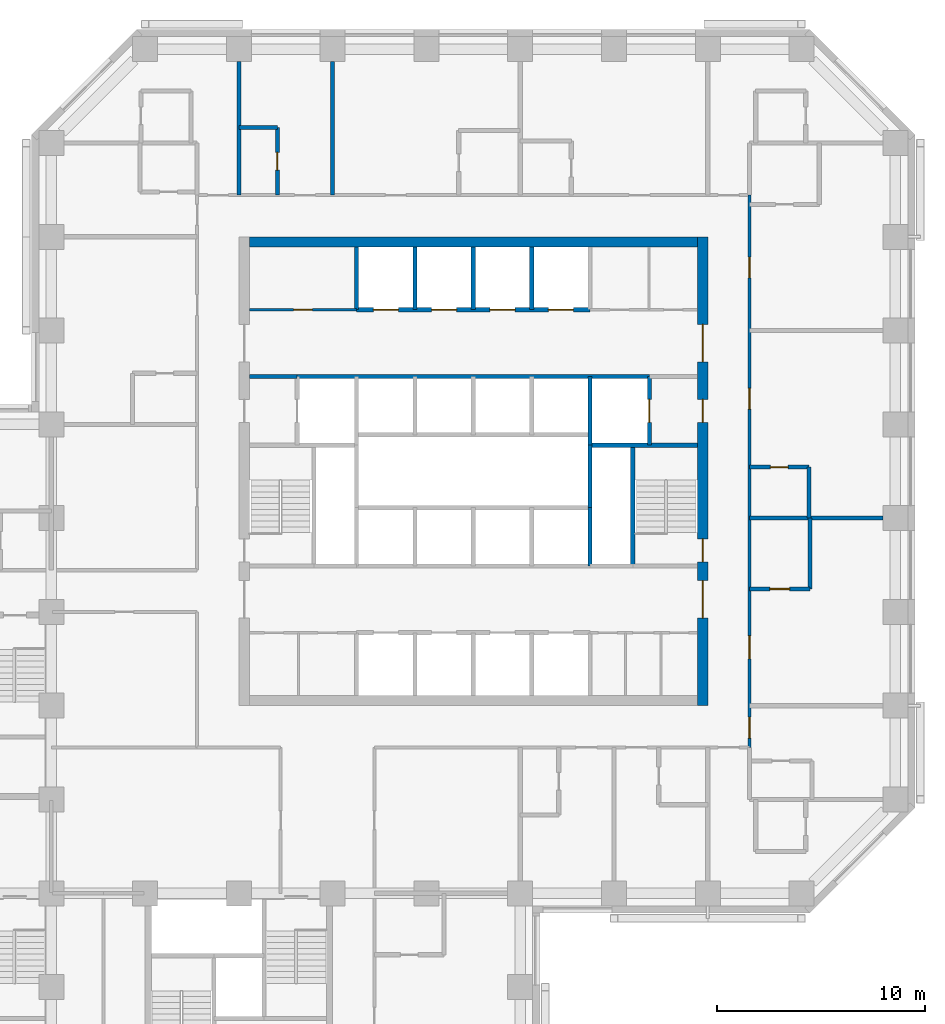
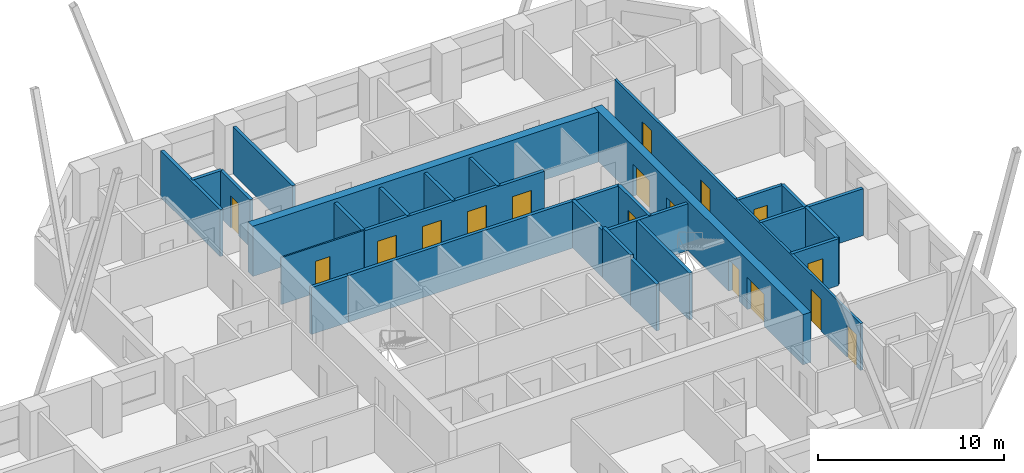
# One storey, part 9 of 13: 26 walls, 17 doors, 17 openings.
"""IFC4 building model written with IfcOpenShell, lengths in metres."""

from ifc_helpers import new_model, si_unit, direction, frame, frame_2d, origin, place, context, subcontext, project, spatial, rectangle, extrude, material, layer, layer_set, type_object, element, fill, save


model = new_model("IFC4")

# Units and contexts
model_context = context("Model", 3, precision=1e-05, world=origin(), true_north=direction((0.0, 1.0)))
body_context = subcontext(model_context, "Body", "Model", "MODEL_VIEW")
ifc_project = project(units=[si_unit("LENGTHUNIT", "METRE"), si_unit("AREAUNIT", "SQUARE_METRE"), si_unit("VOLUMEUNIT", "CUBIC_METRE"), si_unit("PLANEANGLEUNIT", "RADIAN"), si_unit("MASSUNIT", "GRAM", prefix="KILO")], contexts=[model_context])

# Site, building, storey
site_placement = place(None, origin())
site = spatial("IfcSite", under=ifc_project, at=site_placement, CompositionType="ELEMENT")
building_placement = place(site_placement, origin())
building = spatial("IfcBuilding", under=site, at=building_placement, Name="Quoin Convention Tower", CompositionType="ELEMENT")
storey_placement = place(building_placement, frame((0.0, 0.0, 26.39990234375)))
storey = spatial("IfcBuildingStorey", under=building, at=storey_placement, Name="L05", CompositionType="ELEMENT", Elevation=26.39990234375)

# Wall, opening, door
ifc_material_1 = material(Name="Plasterboard")
ifc_layer_1 = layer(ifc_material_1, 0.012451171875, Name="Finish")
ifc_material_2 = material(Name="Steel stud framing", Category="steel")
ifc_layer_2 = layer(ifc_material_2, 0.074951171875, Name="Structure")
ifc_layer_3 = layer(ifc_material_1, 0.012451171875, Name="Finish")
ifc_layer_set_1 = layer_set([ifc_layer_1, ifc_layer_2, ifc_layer_3], Name="Steel stud framing")
wall_type_1 = type_object("IfcWallType", Name="Core partition wall", PredefinedType="PARTITIONING", material=ifc_layer_set_1)
wall_1_placement = place(storey_placement, frame((45.5, 68.5, 0.0), z_axis=(0.0, 0.0, 1.0), x_axis=(1.0, 0.0, 0.0)))
wall_1 = element("IfcWall", 1, at=wall_1_placement, inside=storey, type_object=wall_type_1, Name="cr-C1-L05-h19000_500", PredefinedType="PARTITIONING", context=body_context, shape_type="SweptSolid", body=[
    extrude(rectangle(XDim=5.14990234375, YDim=0.10009765625, at=frame_2d((2.574951171875, 0.0))), origin(), (0.0, 0.0, 1.0), 3.080078125),
])
opening_1_placement = place(wall_1_placement, frame((2.125, 0.0, 0.0)))
opening_1 = element("IfcOpeningElement", 2, at=opening_1_placement, cuts=wall_1, Name="Opening DCV2-15", PredefinedType="OPENING", context=body_context, shape_type="SweptSolid", body=[
    extrude(rectangle(XDim=0.89990234375, YDim=2.10009765625, at=frame_2d((0.449951171875, 1.050048828125))), frame((0.0, 0.06005859375, 0.0), z_axis=(0.0, -1.0, 0.0), x_axis=(1.0, 0.0, 0.0)), (0.0, 0.0, 1.0), 0.1201171875),
])
ifc_material_3 = material(Name="Steel door leaf", Category="steel")
door_type_1 = type_object("IfcDoorType", Name="Core room door 900 x 2100", OperationType="SINGLE_SWING_LEFT", PredefinedType="DOOR", material=ifc_material_3)
door_1_placement = place(opening_1_placement, origin())
door_1 = element("IfcDoor", 3, at=door_1_placement, inside=storey, type_object=door_type_1, Name="cd-C1-L05-CNW0-lobB-CD0509", OperationType="SINGLE_SWING_RIGHT", OverallHeight=2.10009765625, OverallWidth=0.89990234375, PredefinedType="DOOR", context=body_context, shape_type="SweptSolid", body=[
    extrude(rectangle(XDim=0.89990234375, YDim=2.10009765625, at=frame_2d((0.449951171875, 1.050048828125))), frame((0.0, 0.02490234375, 0.0), z_axis=(0.0, -1.0, 0.0), x_axis=(1.0, 0.0, 0.0)), (0.0, 0.0, 1.0), 0.050048828125),
])
fill(opening_1, door_1)

# Walls
ifc_material_4 = material(Name="Concrete C50", Category="concrete")
ifc_layer_4 = layer(ifc_material_4, 0.199951171875)
ifc_layer_set_2 = layer_set([ifc_layer_4], Name="Concrete C50")
wall_type_2 = type_object("IfcWallType", Name="Core shaft wall", PredefinedType="SOLIDWALL", material=ifc_layer_set_2)
wall_2_placement = place(storey_placement, frame((61.85009765625, 62.0, 0.0), z_axis=(0.0, 0.0, 1.0), x_axis=(1.0, 0.0, 0.0)))
element("IfcWall", 4, at=wall_2_placement, inside=storey, type_object=wall_type_2, Name="cr-C1-L05-h12500_16850", PredefinedType="SOLIDWALL", context=body_context, shape_type="SweptSolid", body=[
    extrude(rectangle(XDim=5.14990234375, YDim=0.199951171875, at=frame_2d((2.574951171875, 0.0))), origin(), (0.0, 0.0, 1.0), 3.080078125),
])
wall_3_placement = place(storey_placement, frame((45.5, 65.300048828125, 0.0), z_axis=(0.0, 0.0, 1.0), x_axis=(1.0, 0.0, 0.0)))
element("IfcWall", 5, at=wall_3_placement, inside=storey, type_object=wall_type_2, Name="cr-C1-L05-h15800_500", PredefinedType="SOLIDWALL", context=body_context, shape_type="SweptSolid", body=[
    extrude(rectangle(XDim=2.300048828125, YDim=0.199951171875, at=frame_2d((1.14990234375, 0.0))), origin(), (0.0, 0.0, 1.0), 3.080078125),
])
wall_4_placement = place(storey_placement, frame((47.800048828125, 65.300048828125, 0.0), z_axis=(0.0, 0.0, 1.0), x_axis=(1.0, 0.0, 0.0)))
element("IfcWall", 6, at=wall_4_placement, inside=storey, type_object=wall_type_2, Name="cr-C1-L05-h15800_2800", PredefinedType="SOLIDWALL", context=body_context, shape_type="SweptSolid", body=[
    extrude(rectangle(XDim=16.89990234375, YDim=0.199951171875, at=frame_2d((8.449951171875, 0.0))), origin(), (0.0, 0.0, 1.0), 3.080078125),
])

# Wall, openings, doors
wall_5_placement = place(storey_placement, frame((50.64990234375, 68.5, 0.0), z_axis=(0.0, 0.0, 1.0), x_axis=(1.0, 0.0, 0.0)))
wall_5 = element("IfcWall", 7, at=wall_5_placement, inside=storey, type_object=wall_type_2, Name="cr-C1-L05-h19000_5650", PredefinedType="SOLIDWALL", context=body_context, shape_type="SweptSolid", body=[
    extrude(rectangle(XDim=11.2001953125, YDim=0.199951171875, at=frame_2d((5.60009765625, 0.0))), origin(), (0.0, 0.0, 1.0), 3.080078125),
])
opening_2_placement = place(wall_5_placement, frame((0.800048828125, 0.0, 0.0)))
opening_2 = element("IfcOpeningElement", 8, at=opening_2_placement, cuts=wall_5, Name="Opening LDL5", PredefinedType="OPENING", context=body_context, shape_type="SweptSolid", body=[
    extrude(rectangle(XDim=1.199951171875, YDim=2.10009765625, at=frame_2d((0.60009765625, 1.050048828125))), frame((0.0, 0.10986328125, 0.0), z_axis=(0.0, -1.0, 0.0), x_axis=(1.0, 0.0, 0.0)), (0.0, 0.0, 1.0), 0.219970703125),
])
opening_3_placement = place(wall_5_placement, frame((3.60009765625, 0.0, 0.0)))
opening_3 = element("IfcOpeningElement", 9, at=opening_3_placement, cuts=wall_5, Name="Opening LDL6", PredefinedType="OPENING", context=body_context, shape_type="SweptSolid", body=[
    extrude(rectangle(XDim=1.199951171875, YDim=2.10009765625, at=frame_2d((0.60009765625, 1.050048828125))), frame((0.0, 0.10986328125, 0.0), z_axis=(0.0, -1.0, 0.0), x_axis=(1.0, 0.0, 0.0)), (0.0, 0.0, 1.0), 0.219970703125),
])
opening_4_placement = place(wall_5_placement, frame((6.39990234375, 0.0, 0.0)))
opening_4 = element("IfcOpeningElement", 10, at=opening_4_placement, cuts=wall_5, Name="Opening LDL7", PredefinedType="OPENING", context=body_context, shape_type="SweptSolid", body=[
    extrude(rectangle(XDim=1.199951171875, YDim=2.10009765625, at=frame_2d((0.60009765625, 1.050048828125))), frame((0.0, 0.10986328125, 0.0), z_axis=(0.0, -1.0, 0.0), x_axis=(1.0, 0.0, 0.0)), (0.0, 0.0, 1.0), 0.219970703125),
])
opening_5_placement = place(wall_5_placement, frame((9.199951171875, 0.0, 0.0)))
opening_5 = element("IfcOpeningElement", 11, at=opening_5_placement, cuts=wall_5, Name="Opening LDL8", PredefinedType="OPENING", context=body_context, shape_type="SweptSolid", body=[
    extrude(rectangle(XDim=1.199951171875, YDim=2.10009765625, at=frame_2d((0.60009765625, 1.050048828125))), frame((0.0, 0.10986328125, 0.0), z_axis=(0.0, -1.0, 0.0), x_axis=(1.0, 0.0, 0.0)), (0.0, 0.0, 1.0), 0.219970703125),
])
door_type_2 = type_object("IfcDoorType", Name="Lift landing door 1200 x 2100", OperationType="DOUBLE_DOOR_SLIDING", PredefinedType="DOOR", material=ifc_material_3)
door_2_placement = place(opening_2_placement, origin())
door_2 = element("IfcDoor", 12, at=door_2_placement, inside=storey, type_object=door_type_2, Name="cd-C1-L05-R40-lobB-LDL5", OperationType="DOUBLE_DOOR_SLIDING", OverallHeight=2.10009765625, OverallWidth=1.199951171875, PredefinedType="DOOR", context=body_context, shape_type="SweptSolid", body=[
    extrude(rectangle(XDim=1.199951171875, YDim=2.10009765625, at=frame_2d((0.60009765625, 1.050048828125))), frame((0.0, 0.02490234375, 0.0), z_axis=(0.0, -1.0, 0.0), x_axis=(1.0, 0.0, 0.0)), (0.0, 0.0, 1.0), 0.050048828125),
])
fill(opening_2, door_2)
door_3_placement = place(opening_3_placement, origin())
door_3 = element("IfcDoor", 13, at=door_3_placement, inside=storey, type_object=door_type_2, Name="cd-C1-L05-R41-lobB-LDL6", OperationType="DOUBLE_DOOR_SLIDING", OverallHeight=2.10009765625, OverallWidth=1.199951171875, PredefinedType="DOOR", context=body_context, shape_type="SweptSolid", body=[
    extrude(rectangle(XDim=1.199951171875, YDim=2.10009765625, at=frame_2d((0.60009765625, 1.050048828125))), frame((0.0, 0.02490234375, 0.0), z_axis=(0.0, -1.0, 0.0), x_axis=(1.0, 0.0, 0.0)), (0.0, 0.0, 1.0), 0.050048828125),
])
fill(opening_3, door_3)
door_4_placement = place(opening_4_placement, origin())
door_4 = element("IfcDoor", 14, at=door_4_placement, inside=storey, type_object=door_type_2, Name="cd-C1-L05-R42-lobB-LDL7", OperationType="DOUBLE_DOOR_SLIDING", OverallHeight=2.10009765625, OverallWidth=1.199951171875, PredefinedType="DOOR", context=body_context, shape_type="SweptSolid", body=[
    extrude(rectangle(XDim=1.199951171875, YDim=2.10009765625, at=frame_2d((0.60009765625, 1.050048828125))), frame((0.0, 0.02490234375, 0.0), z_axis=(0.0, -1.0, 0.0), x_axis=(1.0, 0.0, 0.0)), (0.0, 0.0, 1.0), 0.050048828125),
])
fill(opening_4, door_4)
door_5_placement = place(opening_5_placement, origin())
door_5 = element("IfcDoor", 15, at=door_5_placement, inside=storey, type_object=door_type_2, Name="cd-C1-L05-R43-lobB-LDL8", OperationType="DOUBLE_DOOR_SLIDING", OverallHeight=2.10009765625, OverallWidth=1.199951171875, PredefinedType="DOOR", context=body_context, shape_type="SweptSolid", body=[
    extrude(rectangle(XDim=1.199951171875, YDim=2.10009765625, at=frame_2d((0.60009765625, 1.050048828125))), frame((0.0, 0.02490234375, 0.0), z_axis=(0.0, -1.0, 0.0), x_axis=(1.0, 0.0, 0.0)), (0.0, 0.0, 1.0), 0.050048828125),
])
fill(opening_5, door_5)

# Walls
for number, where, z_axis, x_axis, name in (
    (16, (50.64990234375, 68.5, 0.0), (0.0, 0.0, 1.0), (0.0, 1.0, 0.0), "cr-C1-L05-v5650_19000"),
    (17, (53.449951171875, 68.5, 0.0), (0.0, 0.0, 1.0), (0.0, 1.0, 0.0), "cr-C1-L05-v8450_19000"),
    (18, (56.25, 68.5, 0.0), (0.0, 0.0, 1.0), (0.0, 1.0, 0.0), "cr-C1-L05-v11250_19000"),
    (19, (59.050048828125, 68.5, 0.0), (0.0, 0.0, 1.0), (0.0, 1.0, 0.0), "cr-C1-L05-v14050_19000"),
):
    element("IfcWall", number, at=place(storey_placement, frame(where, z_axis=z_axis, x_axis=x_axis)), inside=storey, type_object=wall_type_2, Name=name, PredefinedType="SOLIDWALL", context=body_context, shape_type="SweptSolid", body=[
        extrude(rectangle(XDim=3.0, YDim=0.199951171875, at=frame_2d((1.5, 0.0))), origin(), (0.0, 0.0, 1.0), 3.080078125),
    ])
wall_6_placement = place(storey_placement, frame((61.85009765625, 56.199951171875, 0.0), z_axis=(0.0, 0.0, 1.0), x_axis=(0.0, 1.0, 0.0)))
element("IfcWall", 20, at=wall_6_placement, inside=storey, type_object=wall_type_2, Name="cr-C1-L05-v16850_6700", PredefinedType="SOLIDWALL", context=body_context, shape_type="SweptSolid", body=[
    extrude(rectangle(XDim=2.800048828125, YDim=0.199951171875, at=frame_2d((1.39990234375, 0.0))), origin(), (0.0, 0.0, 1.0), 3.080078125),
])
wall_7_placement = place(storey_placement, frame((61.85009765625, 62.0, 0.0), z_axis=(0.0, 0.0, 1.0), x_axis=(0.0, 1.0, 0.0)))
element("IfcWall", 21, at=wall_7_placement, inside=storey, type_object=wall_type_2, Name="cr-C1-L05-v16850_12500", PredefinedType="SOLIDWALL", context=body_context, shape_type="SweptSolid", body=[
    extrude(rectangle(XDim=3.300048828125, YDim=0.199951171875, at=frame_2d((1.64990234375, 0.0))), origin(), (0.0, 0.0, 1.0), 3.080078125),
])
wall_8_placement = place(storey_placement, frame((63.89990234375, 56.199951171875, 0.0), z_axis=(0.0, 0.0, 1.0), x_axis=(0.0, 1.0, 0.0)))
element("IfcWall", 22, at=wall_8_placement, inside=storey, type_object=wall_type_2, Name="cr-C1-L05-v18900_6700", PredefinedType="SOLIDWALL", context=body_context, shape_type="SweptSolid", body=[
    extrude(rectangle(XDim=5.800048828125, YDim=0.199951171875, at=frame_2d((2.89990234375, 0.0))), origin(), (0.0, 0.0, 1.0), 3.080078125),
])

# Wall, opening, door
wall_9_placement = place(storey_placement, frame((64.699951171875, 62.0, 0.0), z_axis=(0.0, 0.0, 1.0), x_axis=(0.0, 1.0, 0.0)))
wall_9 = element("IfcWall", 23, at=wall_9_placement, inside=storey, type_object=wall_type_2, Name="cr-C1-L05-v19700_12500", PredefinedType="SOLIDWALL", context=body_context, shape_type="SweptSolid", body=[
    extrude(rectangle(XDim=3.300048828125, YDim=0.199951171875, at=frame_2d((1.64990234375, 0.0))), origin(), (0.0, 0.0, 1.0), 3.080078125),
])
opening_6_placement = place(wall_9_placement, frame((1.10009765625, 0.0, 0.0)))
opening_6 = element("IfcOpeningElement", 24, at=opening_6_placement, cuts=wall_9, Name="Opening LDFL2", PredefinedType="OPENING", context=body_context, shape_type="SweptSolid", body=[
    extrude(rectangle(XDim=1.10009765625, YDim=2.10009765625, at=frame_2d((0.550048828125, 1.050048828125))), frame((0.0, 0.10986328125, 0.0), z_axis=(0.0, -1.0, 0.0), x_axis=(1.0, 0.0, 0.0)), (0.0, 0.0, 1.0), 0.219970703125),
])
door_type_3 = type_object("IfcDoorType", Name="Lift landing door 1100 x 2100", OperationType="DOUBLE_DOOR_SLIDING", PredefinedType="DOOR", material=ifc_material_3)
door_6_placement = place(opening_6_placement, origin())
door_6 = element("IfcDoor", 25, at=door_6_placement, inside=storey, type_object=door_type_3, Name="cd-C1-L05-FLE-FFE-LDFL2", OperationType="DOUBLE_DOOR_SLIDING", OverallHeight=2.10009765625, OverallWidth=1.10009765625, PredefinedType="DOOR", context=body_context, shape_type="SweptSolid", body=[
    extrude(rectangle(XDim=1.10009765625, YDim=2.10009765625, at=frame_2d((0.550048828125, 1.050048828125))), frame((0.0, 0.02490234375, 0.0), z_axis=(0.0, -1.0, 0.0), x_axis=(1.0, 0.0, 0.0)), (0.0, 0.0, 1.0), 0.050048828125),
])
fill(opening_6, door_6)

# Walls
ifc_layer_5 = layer(ifc_material_4, 0.199951171875)
ifc_layer_set_3 = layer_set([ifc_layer_5], Name="Concrete C50")
wall_type_3 = type_object("IfcWallType", Name="Core shaft wall to the floor level over", PredefinedType="SOLIDWALL", material=ifc_layer_set_3)
wall_10_placement = place(storey_placement, frame((61.85009765625, 59.0, 0.0), z_axis=(0.0, 0.0, 1.0), x_axis=(0.0, 1.0, 0.0)))
element("IfcWall", 26, at=wall_10_placement, inside=storey, type_object=wall_type_3, Name="cr-C1-L05-v16850_9500", PredefinedType="SOLIDWALL", context=body_context, shape_type="SweptSolid", body=[
    extrude(rectangle(XDim=3.0, YDim=0.199951171875, at=frame_2d((1.5, 0.0))), origin(), (0.0, 0.0, 1.0), 3.300048828125),
])
ifc_material_5 = material(Name="Concrete C80", Category="concrete")
ifc_layer_6 = layer(ifc_material_5, 0.5)
ifc_layer_set_4 = layer_set([ifc_layer_6], Name="Concrete C80")
wall_type_4 = type_object("IfcWallType", Name="RC CORE WALL 500 C80", PredefinedType="SHEAR", material=ifc_layer_set_4)
wall_11_placement = place(storey_placement, frame((45.5, 71.75, 0.0), z_axis=(0.0, 0.0, 1.0), x_axis=(1.0, 0.0, 0.0)))
element("IfcWall", 27, at=wall_11_placement, inside=storey, type_object=wall_type_4, Name="cwl-C1-L05-N", PredefinedType="SHEAR", context=body_context, shape_type="SweptSolid", body=[
    extrude(rectangle(XDim=21.5, YDim=0.5, at=frame_2d((10.75, 0.0))), origin(), (0.0, 0.0, 1.0), 3.300048828125),
])

# Wall, openings, doors
wall_12_placement = place(storey_placement, frame((67.25, 49.5, 0.0), z_axis=(0.0, 0.0, 1.0), x_axis=(0.0, 1.0, 0.0)))
wall_12 = element("IfcWall", 28, at=wall_12_placement, inside=storey, type_object=wall_type_4, Name="cwl-C1-L05-E", PredefinedType="SHEAR", context=body_context, shape_type="SweptSolid", body=[
    extrude(rectangle(XDim=22.5, YDim=0.5, at=frame_2d((11.25, 0.0))), origin(), (0.0, 0.0, 1.0), 3.300048828125),
])
opening_7_placement = place(wall_12_placement, frame((4.199951171875, 0.0, 0.0)))
opening_7 = element("IfcOpeningElement", 29, at=opening_7_placement, cuts=wall_12, Name="Opening DCV2-38", PredefinedType="OPENING", context=body_context, shape_type="SweptSolid", body=[
    extrude(rectangle(XDim=1.800048828125, YDim=2.10009765625, at=frame_2d((0.89990234375, 1.050048828125))), frame((0.0, 0.260009765625, 0.0), z_axis=(0.0, -1.0, 0.0), x_axis=(1.0, 0.0, 0.0)), (0.0, 0.0, 1.0), 0.52001953125),
])
opening_8_placement = place(wall_12_placement, frame((6.89990234375, 0.0, 0.0)))
opening_8 = element("IfcOpeningElement", 30, at=opening_8_placement, cuts=wall_12, Name="Opening SD2", PredefinedType="OPENING", context=body_context, shape_type="SweptSolid", body=[
    extrude(rectangle(XDim=1.10009765625, YDim=2.10009765625, at=frame_2d((0.550048828125, 1.050048828125))), frame((0.0, 0.260009765625, 0.0), z_axis=(0.0, -1.0, 0.0), x_axis=(1.0, 0.0, 0.0)), (0.0, 0.0, 1.0), 0.52001953125),
])
opening_9_placement = place(wall_12_placement, frame((13.60009765625, 0.0, 0.0)))
opening_9 = element("IfcOpeningElement", 31, at=opening_9_placement, cuts=wall_12, Name="Opening DCV2-37", PredefinedType="OPENING", context=body_context, shape_type="SweptSolid", body=[
    extrude(rectangle(XDim=1.10009765625, YDim=2.10009765625, at=frame_2d((0.550048828125, 1.050048828125))), frame((0.0, 0.260009765625, 0.0), z_axis=(0.0, -1.0, 0.0), x_axis=(1.0, 0.0, 0.0)), (0.0, 0.0, 1.0), 0.52001953125),
])
opening_10_placement = place(wall_12_placement, frame((16.5, 0.0, 0.0)))
opening_10 = element("IfcOpeningElement", 32, at=opening_10_placement, cuts=wall_12, Name="Opening DCV2-38", PredefinedType="OPENING", context=body_context, shape_type="SweptSolid", body=[
    extrude(rectangle(XDim=1.800048828125, YDim=2.10009765625, at=frame_2d((0.89990234375, 1.050048828125))), frame((0.0, 0.260009765625, 0.0), z_axis=(0.0, -1.0, 0.0), x_axis=(1.0, 0.0, 0.0)), (0.0, 0.0, 1.0), 0.52001953125),
])
door_type_4 = type_object("IfcDoorType", Name="Fire-fighting lobby door 1100 x 2100", OperationType="SINGLE_SWING_LEFT", PredefinedType="DOOR", material=ifc_material_3)
door_7_placement = place(opening_9_placement, origin())
door_7 = element("IfcDoor", 33, at=door_7_placement, inside=storey, type_object=door_type_4, Name="cd-C1-L05-FFE-E", OperationType="SINGLE_SWING_RIGHT", OverallHeight=2.10009765625, OverallWidth=1.10009765625, PredefinedType="DOOR", context=body_context, shape_type="SweptSolid", body=[
    extrude(rectangle(XDim=1.10009765625, YDim=2.10009765625, at=frame_2d((0.550048828125, 1.050048828125))), frame((0.0, 0.02490234375, 0.0), z_axis=(0.0, -1.0, 0.0), x_axis=(1.0, 0.0, 0.0)), (0.0, 0.0, 1.0), 0.050048828125),
])
fill(opening_9, door_7)
door_type_5 = type_object("IfcDoorType", Name="Lift lobby door 1800 x 2100", OperationType="SINGLE_SWING_LEFT", PredefinedType="DOOR", material=ifc_material_3)
door_8_placement = place(opening_7_placement, origin())
door_8 = element("IfcDoor", 34, at=door_8_placement, inside=storey, type_object=door_type_5, Name="cd-C1-L05-lobA-E", OperationType="SINGLE_SWING_RIGHT", OverallHeight=2.10009765625, OverallWidth=1.800048828125, PredefinedType="DOOR", context=body_context, shape_type="SweptSolid", body=[
    extrude(rectangle(XDim=1.800048828125, YDim=2.10009765625, at=frame_2d((0.89990234375, 1.050048828125))), frame((0.0, 0.02490234375, 0.0), z_axis=(0.0, -1.0, 0.0), x_axis=(1.0, 0.0, 0.0)), (0.0, 0.0, 1.0), 0.050048828125),
])
fill(opening_7, door_8)
door_9_placement = place(opening_10_placement, origin())
door_9 = element("IfcDoor", 35, at=door_9_placement, inside=storey, type_object=door_type_5, Name="cd-C1-L05-lobB-E", OperationType="SINGLE_SWING_RIGHT", OverallHeight=2.10009765625, OverallWidth=1.800048828125, PredefinedType="DOOR", context=body_context, shape_type="SweptSolid", body=[
    extrude(rectangle(XDim=1.800048828125, YDim=2.10009765625, at=frame_2d((0.89990234375, 1.050048828125))), frame((0.0, 0.02490234375, 0.0), z_axis=(0.0, -1.0, 0.0), x_axis=(1.0, 0.0, 0.0)), (0.0, 0.0, 1.0), 0.050048828125),
])
fill(opening_10, door_9)
door_type_6 = type_object("IfcDoorType", Name="Stair door 1100 x 2100", OperationType="SINGLE_SWING_RIGHT", PredefinedType="DOOR", material=ifc_material_3)
door_10_placement = place(opening_8_placement, origin())
door_10 = element("IfcDoor", 36, at=door_10_placement, inside=storey, type_object=door_type_6, Name="cd-C1-L05-STE-E", OperationType="SINGLE_SWING_LEFT", OverallHeight=2.10009765625, OverallWidth=1.10009765625, PredefinedType="DOOR", context=body_context, shape_type="SweptSolid", body=[
    extrude(rectangle(XDim=1.10009765625, YDim=2.10009765625, at=frame_2d((0.550048828125, 1.050048828125))), frame((0.0, 0.02490234375, 0.0), z_axis=(0.0, -1.0, 0.0), x_axis=(1.0, 0.0, 0.0)), (0.0, 0.0, 1.0), 0.050048828125),
])
fill(opening_8, door_10)

# Wall, opening, door
ifc_layer_7 = layer(ifc_material_4, 0.199951171875)
ifc_layer_set_5 = layer_set([ifc_layer_7], Name="Concrete C50")
wall_type_5 = type_object("IfcWallType", Name="RC party wall", PredefinedType="SOLIDWALL", material=ifc_layer_set_5)
wall_13_placement = place(storey_placement, frame((69.5, 55.10009765625, 0.0), z_axis=(0.0, 0.0, 1.0), x_axis=(1.0, 0.0, 0.0)))
wall_13 = element("IfcWall", 37, at=wall_13_placement, inside=storey, type_object=wall_type_5, Name="pw-L05-097", PredefinedType="SOLIDWALL", context=body_context, shape_type="SweptSolid", body=[
    extrude(rectangle(XDim=2.89990234375, YDim=0.199951171875, at=frame_2d((1.449951171875, 0.0))), origin(), (0.0, 0.0, 1.0), 3.080078125),
])
opening_11_placement = place(wall_13_placement, frame((0.97509765625, 0.0, 0.0)))
opening_11 = element("IfcOpeningElement", 38, at=opening_11_placement, cuts=wall_13, Name="Opening DHOTEL-A-56", PredefinedType="OPENING", context=body_context, shape_type="SweptSolid", body=[
    extrude(rectangle(XDim=0.949951171875, YDim=2.10009765625, at=frame_2d((0.47509765625, 1.050048828125))), frame((0.0, 0.10986328125, 0.0), z_axis=(0.0, -1.0, 0.0), x_axis=(1.0, 0.0, 0.0)), (0.0, 0.0, 1.0), 0.219970703125),
])
door_type_7 = type_object("IfcDoorType", Name="Accessible bathroom door", OperationType="SINGLE_SWING_LEFT", PredefinedType="DOOR", material=ifc_material_3)
door_11_placement = place(opening_11_placement, frame((0.949951171875, 0.0, 0.0), z_axis=(0.0, 0.0, 1.0), x_axis=(-1.0, 0.0, 0.0)))
door_11 = element("IfcDoor", 39, at=door_11_placement, inside=storey, type_object=door_type_7, Name="dr-L05-046", OperationType="SINGLE_SWING_RIGHT", OverallHeight=2.10009765625, OverallWidth=0.949951171875, PredefinedType="DOOR", context=body_context, shape_type="SweptSolid", body=[
    extrude(rectangle(XDim=0.949951171875, YDim=2.10009765625, at=frame_2d((0.47509765625, 1.050048828125))), frame((0.0, 0.02490234375, 0.0), z_axis=(0.0, -1.0, 0.0), x_axis=(1.0, 0.0, 0.0)), (0.0, 0.0, 1.0), 0.050048828125),
])
fill(opening_11, door_11)

# Walls
wall_14_placement = place(storey_placement, frame((72.39990234375, 55.10009765625, 0.0), z_axis=(0.0, 0.0, 1.0), x_axis=(0.0, 1.0, 0.0)))
element("IfcWall", 40, at=wall_14_placement, inside=storey, type_object=wall_type_5, Name="pw-L05-098", PredefinedType="SOLIDWALL", context=body_context, shape_type="SweptSolid", body=[
    extrude(rectangle(XDim=3.39990234375, YDim=0.199951171875, at=frame_2d((1.699951171875, 0.0))), origin(), (0.0, 0.0, 1.0), 3.080078125),
])
wall_15_placement = place(storey_placement, frame((69.5, 58.5, 0.0), z_axis=(0.0, 0.0, 1.0), x_axis=(1.0, 0.0, 0.0)))
element("IfcWall", 41, at=wall_15_placement, inside=storey, type_object=wall_type_5, Name="pw-L05-110", PredefinedType="SOLIDWALL", context=body_context, shape_type="SweptSolid", body=[
    extrude(rectangle(XDim=6.39990234375, YDim=0.199951171875, at=frame_2d((3.199951171875, 0.0))), origin(), (0.0, 0.0, 1.0), 3.080078125),
])
wall_16_placement = place(storey_placement, frame((72.35009765625, 58.5, 0.0), z_axis=(0.0, 0.0, 1.0), x_axis=(0.0, 1.0, 0.0)))
element("IfcWall", 42, at=wall_16_placement, inside=storey, type_object=wall_type_5, Name="pw-L05-111", PredefinedType="SOLIDWALL", context=body_context, shape_type="SweptSolid", body=[
    extrude(rectangle(XDim=2.449951171875, YDim=0.199951171875, at=frame_2d((1.22509765625, 0.0))), origin(), (0.0, 0.0, 1.0), 3.080078125),
])

# Wall, opening, door
wall_17_placement = place(storey_placement, frame((69.5, 60.949951171875, 0.0), z_axis=(0.0, 0.0, 1.0), x_axis=(1.0, 0.0, 0.0)))
wall_17 = element("IfcWall", 43, at=wall_17_placement, inside=storey, type_object=wall_type_5, Name="pw-L05-113", PredefinedType="SOLIDWALL", context=body_context, shape_type="SweptSolid", body=[
    extrude(rectangle(XDim=2.85009765625, YDim=0.199951171875, at=frame_2d((1.425048828125, 0.0))), origin(), (0.0, 0.0, 1.0), 3.080078125),
])
opening_12_placement = place(wall_17_placement, frame((1.0, 0.0, 0.0)))
opening_12 = element("IfcOpeningElement", 44, at=opening_12_placement, cuts=wall_17, Name="Opening DHOTEL-A-58", PredefinedType="OPENING", context=body_context, shape_type="SweptSolid", body=[
    extrude(rectangle(XDim=0.85009765625, YDim=2.10009765625, at=frame_2d((0.425048828125, 1.050048828125))), frame((0.0, 0.10986328125, 0.0), z_axis=(0.0, -1.0, 0.0), x_axis=(1.0, 0.0, 0.0)), (0.0, 0.0, 1.0), 0.219970703125),
])
door_type_8 = type_object("IfcDoorType", Name="Bathroom door", OperationType="SINGLE_SWING_LEFT", PredefinedType="DOOR", material=ifc_material_3)
door_12_placement = place(opening_12_placement, origin())
door_12 = element("IfcDoor", 45, at=door_12_placement, inside=storey, type_object=door_type_8, Name="dr-L05-044", OperationType="SINGLE_SWING_LEFT", OverallHeight=2.10009765625, OverallWidth=0.85009765625, PredefinedType="DOOR", context=body_context, shape_type="SweptSolid", body=[
    extrude(rectangle(XDim=0.85009765625, YDim=2.10009765625, at=frame_2d((0.425048828125, 1.050048828125))), frame((0.0, 0.02490234375, 0.0), z_axis=(0.0, -1.0, 0.0), x_axis=(1.0, 0.0, 0.0)), (0.0, 0.0, 1.0), 0.050048828125),
])
fill(opening_12, door_12)

# Wall
wall_18_placement = place(storey_placement, frame((45.0, 74.0, 0.0), z_axis=(0.0, 0.0, 1.0), x_axis=(0.0, 1.0, 0.0)))
element("IfcWall", 46, at=wall_18_placement, inside=storey, type_object=wall_type_5, Name="pw-L05-122", PredefinedType="SOLIDWALL", context=body_context, shape_type="SweptSolid", body=[
    extrude(rectangle(XDim=6.39990234375, YDim=0.199951171875, at=frame_2d((3.199951171875, 0.0))), origin(), (0.0, 0.0, 1.0), 3.080078125),
])

# Wall, opening, door
wall_19_placement = place(storey_placement, frame((46.85009765625, 74.0, 0.0), z_axis=(0.0, 0.0, 1.0), x_axis=(0.0, 1.0, 0.0)))
wall_19 = element("IfcWall", 47, at=wall_19_placement, inside=storey, type_object=wall_type_5, Name="pw-L05-123", PredefinedType="SOLIDWALL", context=body_context, shape_type="SweptSolid", body=[
    extrude(rectangle(XDim=3.25, YDim=0.199951171875, at=frame_2d((1.625, 0.0))), origin(), (0.0, 0.0, 1.0), 3.080078125),
])
opening_13_placement = place(wall_19_placement, frame((1.199951171875, 0.0, 0.0)))
opening_13 = element("IfcOpeningElement", 48, at=opening_13_placement, cuts=wall_19, Name="Opening DHOTEL-A-61", PredefinedType="OPENING", context=body_context, shape_type="SweptSolid", body=[
    extrude(rectangle(XDim=0.85009765625, YDim=2.10009765625, at=frame_2d((0.425048828125, 1.050048828125))), frame((0.0, 0.10986328125, 0.0), z_axis=(0.0, -1.0, 0.0), x_axis=(1.0, 0.0, 0.0)), (0.0, 0.0, 1.0), 0.219970703125),
])
door_13_placement = place(opening_13_placement, frame((0.85009765625, 0.0, 0.0), z_axis=(0.0, 0.0, 1.0), x_axis=(-1.0, 0.0, 0.0)))
door_13 = element("IfcDoor", 49, at=door_13_placement, inside=storey, type_object=door_type_8, Name="dr-L05-036", OperationType="SINGLE_SWING_RIGHT", OverallHeight=2.10009765625, OverallWidth=0.85009765625, PredefinedType="DOOR", context=body_context, shape_type="SweptSolid", body=[
    extrude(rectangle(XDim=0.85009765625, YDim=2.10009765625, at=frame_2d((0.425048828125, 1.050048828125))), frame((0.0, 0.02490234375, 0.0), z_axis=(0.0, -1.0, 0.0), x_axis=(1.0, 0.0, 0.0)), (0.0, 0.0, 1.0), 0.050048828125),
])
fill(opening_13, door_13)

# Walls
wall_20_placement = place(storey_placement, frame((49.5, 74.0, 0.0), z_axis=(0.0, 0.0, 1.0), x_axis=(0.0, 1.0, 0.0)))
element("IfcWall", 50, at=wall_20_placement, inside=storey, type_object=wall_type_5, Name="pw-L05-124", PredefinedType="SOLIDWALL", context=body_context, shape_type="SweptSolid", body=[
    extrude(rectangle(XDim=6.39990234375, YDim=0.199951171875, at=frame_2d((3.199951171875, 0.0))), origin(), (0.0, 0.0, 1.0), 3.080078125),
])
wall_21_placement = place(storey_placement, frame((45.0, 77.25, 0.0), z_axis=(0.0, 0.0, 1.0), x_axis=(1.0, 0.0, 0.0)))
element("IfcWall", 51, at=wall_21_placement, inside=storey, type_object=wall_type_5, Name="pw-L05-140", PredefinedType="SOLIDWALL", context=body_context, shape_type="SweptSolid", body=[
    extrude(rectangle(XDim=1.85009765625, YDim=0.199951171875, at=frame_2d((0.925048828125, 0.0))), origin(), (0.0, 0.0, 1.0), 3.080078125),
])

# Wall, openings, doors
ifc_layer_8 = layer(ifc_material_1, 0.012451171875, Name="Finish")
ifc_layer_9 = layer(ifc_material_2, 0.125, Name="Structure")
ifc_layer_10 = layer(ifc_material_1, 0.012451171875, Name="Finish")
ifc_layer_set_6 = layer_set([ifc_layer_8, ifc_layer_9, ifc_layer_10], Name="Steel stud framing")
wall_type_6 = type_object("IfcWallType", Name="corridor partition", PredefinedType="PARTITIONING", material=ifc_layer_set_6)
wall_22_placement = place(storey_placement, frame((69.5, 47.5, 0.0), z_axis=(0.0, 0.0, 1.0), x_axis=(0.0, 1.0, 0.0)))
wall_22 = element("IfcWall", 52, at=wall_22_placement, inside=storey, type_object=wall_type_6, Name="pw-L05-031", PredefinedType="PARTITIONING", context=body_context, shape_type="SweptSolid", body=[
    extrude(rectangle(XDim=26.5, YDim=0.14990234375, at=frame_2d((13.25, 0.0))), origin(), (0.0, 0.0, 1.0), 3.080078125),
])
opening_14_placement = place(wall_22_placement, frame((22.52490234375, 0.0, 0.0)))
opening_14 = element("IfcOpeningElement", 53, at=opening_14_placement, cuts=wall_22, Name="Opening DHOTEL-A-28", PredefinedType="OPENING", context=body_context, shape_type="SweptSolid", body=[
    extrude(rectangle(XDim=1.0, YDim=2.10009765625, at=frame_2d((0.5, 1.050048828125))), frame((0.0, 0.0849609375, 0.0), z_axis=(0.0, -1.0, 0.0), x_axis=(1.0, 0.0, 0.0)), (0.0, 0.0, 1.0), 0.169921875),
])
opening_15_placement = place(wall_22_placement, frame((16.22509765625, 0.0, 0.0)))
opening_15 = element("IfcOpeningElement", 54, at=opening_15_placement, cuts=wall_22, Name="Opening DHOTEL-A-27", PredefinedType="OPENING", context=body_context, shape_type="SweptSolid", body=[
    extrude(rectangle(XDim=1.0, YDim=2.10009765625, at=frame_2d((0.5, 1.050048828125))), frame((0.0, 0.0849609375, 0.0), z_axis=(0.0, -1.0, 0.0), x_axis=(1.0, 0.0, 0.0)), (0.0, 0.0, 1.0), 0.169921875),
])
opening_16_placement = place(wall_22_placement, frame((4.25, 0.0, 0.0)))
opening_16 = element("IfcOpeningElement", 55, at=opening_16_placement, cuts=wall_22, Name="Opening DHOTEL-A-26", PredefinedType="OPENING", context=body_context, shape_type="SweptSolid", body=[
    extrude(rectangle(XDim=1.10009765625, YDim=2.10009765625, at=frame_2d((0.550048828125, 1.050048828125))), frame((0.0, 0.0849609375, 0.0), z_axis=(0.0, -1.0, 0.0), x_axis=(1.0, 0.0, 0.0)), (0.0, 0.0, 1.0), 0.169921875),
])
opening_17_placement = place(wall_22_placement, frame((0.447021484375, 0.0, 0.0)))
opening_17 = element("IfcOpeningElement", 56, at=opening_17_placement, cuts=wall_22, Name="Opening DHOTEL-A-25", PredefinedType="OPENING", context=body_context, shape_type="SweptSolid", body=[
    extrude(rectangle(XDim=1.0, YDim=2.10009765625, at=frame_2d((0.5, 1.050048828125))), frame((0.0, 0.0849609375, 0.0), z_axis=(0.0, -1.0, 0.0), x_axis=(1.0, 0.0, 0.0)), (0.0, 0.0, 1.0), 0.169921875),
])
door_type_9 = type_object("IfcDoorType", Name="Accessible room door", OperationType="SINGLE_SWING_LEFT", PredefinedType="DOOR", material=ifc_material_3)
door_14_placement = place(opening_16_placement, frame((1.10009765625, 0.0, 0.0), z_axis=(0.0, 0.0, 1.0), x_axis=(-1.0, 0.0, 0.0)))
door_14 = element("IfcDoor", 57, at=door_14_placement, inside=storey, type_object=door_type_9, Name="dr-L05-045", OperationType="SINGLE_SWING_LEFT", OverallHeight=2.10009765625, OverallWidth=1.10009765625, PredefinedType="DOOR", context=body_context, shape_type="SweptSolid", body=[
    extrude(rectangle(XDim=1.10009765625, YDim=2.10009765625, at=frame_2d((0.550048828125, 1.050048828125))), frame((0.0, 0.02490234375, 0.0), z_axis=(0.0, -1.0, 0.0), x_axis=(1.0, 0.0, 0.0)), (0.0, 0.0, 1.0), 0.050048828125),
])
fill(opening_16, door_14)
door_type_10 = type_object("IfcDoorType", Name="Hotel room door", OperationType="SINGLE_SWING_LEFT", PredefinedType="DOOR", material=ifc_material_3)
door_15_placement = place(opening_14_placement, frame((1.0, 0.0, 0.0), z_axis=(0.0, 0.0, 1.0), x_axis=(-1.0, 0.0, 0.0)))
door_15 = element("IfcDoor", 58, at=door_15_placement, inside=storey, type_object=door_type_10, Name="dr-L05-041", OperationType="SINGLE_SWING_LEFT", OverallHeight=2.10009765625, OverallWidth=1.0, PredefinedType="DOOR", context=body_context, shape_type="SweptSolid", body=[
    extrude(rectangle(XDim=1.0, YDim=2.10009765625, at=frame_2d((0.5, 1.050048828125))), frame((0.0, 0.02490234375, 0.0), z_axis=(0.0, -1.0, 0.0), x_axis=(1.0, 0.0, 0.0)), (0.0, 0.0, 1.0), 0.050048828125),
])
fill(opening_14, door_15)
door_16_placement = place(opening_15_placement, frame((1.0, 0.0, 0.0), z_axis=(0.0, 0.0, 1.0), x_axis=(-1.0, 0.0, 0.0)))
door_16 = element("IfcDoor", 59, at=door_16_placement, inside=storey, type_object=door_type_10, Name="dr-L05-043", OperationType="SINGLE_SWING_LEFT", OverallHeight=2.10009765625, OverallWidth=1.0, PredefinedType="DOOR", context=body_context, shape_type="SweptSolid", body=[
    extrude(rectangle(XDim=1.0, YDim=2.10009765625, at=frame_2d((0.5, 1.050048828125))), frame((0.0, 0.02490234375, 0.0), z_axis=(0.0, -1.0, 0.0), x_axis=(1.0, 0.0, 0.0)), (0.0, 0.0, 1.0), 0.050048828125),
])
fill(opening_15, door_16)
door_17_placement = place(opening_17_placement, frame((1.0, 0.0, 0.0), z_axis=(0.0, 0.0, 1.0), x_axis=(-1.0, 0.0, 0.0)))
door_17 = element("IfcDoor", 60, at=door_17_placement, inside=storey, type_object=door_type_10, Name="dr-L05-047", OperationType="SINGLE_SWING_LEFT", OverallHeight=2.10009765625, OverallWidth=1.0, PredefinedType="DOOR", context=body_context, shape_type="SweptSolid", body=[
    extrude(rectangle(XDim=1.0, YDim=2.10009765625, at=frame_2d((0.5, 1.050048828125))), frame((0.0, 0.02490234375, 0.0), z_axis=(0.0, -1.0, 0.0), x_axis=(1.0, 0.0, 0.0)), (0.0, 0.0, 1.0), 0.050048828125),
])
fill(opening_17, door_17)

save(model, "model.ifc")
